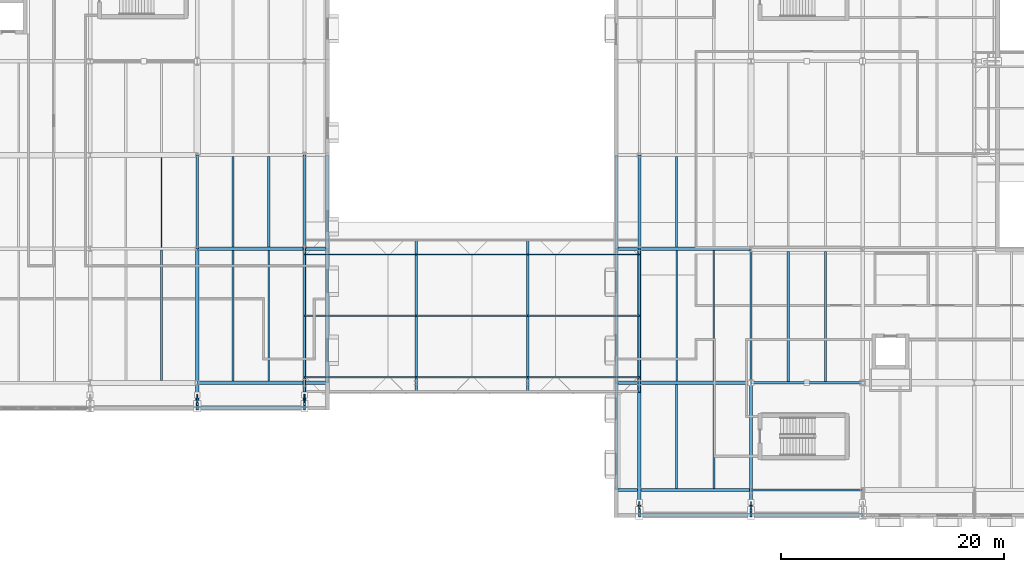
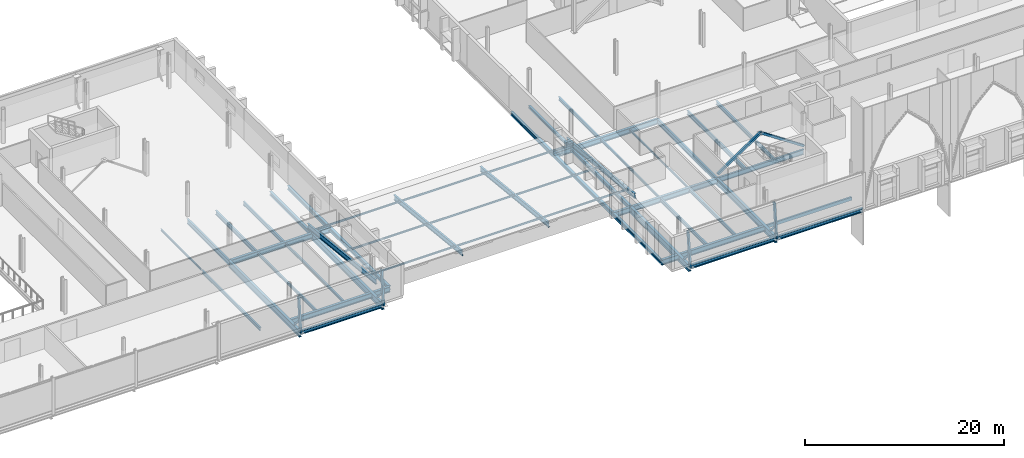
# One storey, part 33 of 90: 41 beams, 19 members.
"""IFC4 building model written with IfcOpenShell, lengths in metres."""

import ifcopenshell
import ifcopenshell.guid

model = None  # the IFC model being written
_history = None  # IfcOwnerHistory: only IFC2X3 demands one
_inside = {}  # id of a spatial element -> (the spatial element, [elements in it])
_under = {}  # id of a project, library or spatial element -> (it, [spatial elements below it])
_declared = {}  # id of a project -> (the project, [libraries it declares])
_typed = {}  # id of a type object -> (the type object, [elements of that type])
_made_of = {}  # id of a material, layer set ... -> (it, [elements and type objects made of it])


def new_model(schema):
    """Start an empty IFC model of exactly this schema.

    Asked for "IFC4X3", IfcOpenShell would pick the latest addendum, in which some entities
    have other attributes; the version numbers below select the first issue.
    IFC2X3 requires an IfcOwnerHistory on every rooted entity: one is made here for all.
    """
    global model, _history
    if schema == "IFC4X3":
        model = ifcopenshell.file(schema_version=(4, 3, 0, 0))
    else:
        model = ifcopenshell.file(schema=schema)
    _inside.clear()
    _under.clear()
    _declared.clear()
    _typed.clear()
    _made_of.clear()
    _history = None
    if model.schema == "IFC2X3":
        org = make("IfcOrganization", Name="unknown")
        user = make(
            "IfcPersonAndOrganization",
            ThePerson=make("IfcPerson", FamilyName="unknown"),
            TheOrganization=org,
        )
        app = make(
            "IfcApplication",
            ApplicationDeveloper=org,
            Version="unknown",
            ApplicationFullName="unknown",
            ApplicationIdentifier="unknown",
        )
        _history = make(
            "IfcOwnerHistory",
            OwningUser=user,
            OwningApplication=app,
            ChangeAction="ADDED",
            CreationDate=0,
        )
    return model


def make(cls, **values):
    """One entity of the class cls with the attributes given. An attribute that is None is left unset."""
    return model.create_entity(
        cls, **{name: value for name, value in values.items() if value is not None}
    )


def rooted(cls, **values):
    """An entity with a GlobalId (a new one), such as an element, a storey or a relation."""
    return make(cls, GlobalId=ifcopenshell.guid.new(), OwnerHistory=_history, **values)


def si_unit(unit_type, name, prefix=None):
    """IfcSIUnit, for example si_unit("LENGTHUNIT", "METRE", prefix="MILLI")."""
    return make("IfcSIUnit", UnitType=unit_type, Prefix=prefix, Name=name)


def assignment(units):
    """IfcUnitAssignment: the units of a project."""
    return None if units is None else make("IfcUnitAssignment", Units=units)


def point(xyz):
    """IfcCartesianPoint."""
    return None if xyz is None else make("IfcCartesianPoint", Coordinates=xyz)


def direction(xyz):
    """IfcDirection."""
    return None if xyz is None else make("IfcDirection", DirectionRatios=xyz)


def frame(location, z_axis=None, x_axis=None):
    """IfcAxis2Placement3D, a coordinate frame: its origin and axes. An axis left out is left unset."""
    return make(
        "IfcAxis2Placement3D",
        Location=point(location),
        Axis=direction(z_axis),
        RefDirection=direction(x_axis),
    )


def frame_2d(location, x_axis=None):
    """IfcAxis2Placement2D, a coordinate frame in the plane: its origin and x axis."""
    return make(
        "IfcAxis2Placement2D", Location=point(location), RefDirection=direction(x_axis)
    )


def origin():
    """The frame at (0, 0, 0) with its axes left unset."""
    return frame((0.0, 0.0, 0.0))


def origin_2d():
    """The frame at (0, 0) in the plane with its x axis left unset."""
    return frame_2d((0.0, 0.0))


def place(relative_to, where):
    """IfcLocalPlacement: puts the frame where relative to a parent placement (None: the world)."""
    return make(
        "IfcLocalPlacement", PlacementRelTo=relative_to, RelativePlacement=where
    )


def context(
    kind, dimensions, precision=None, world=None, true_north=None, identifier=None
):
    """IfcGeometricRepresentationContext, for example the 3D "Model" context."""
    return make(
        "IfcGeometricRepresentationContext",
        ContextIdentifier=identifier,
        ContextType=kind,
        CoordinateSpaceDimension=dimensions,
        Precision=precision,
        WorldCoordinateSystem=world,
        TrueNorth=true_north,
    )


def subcontext(parent, identifier, kind, view, scale=None):
    """IfcGeometricRepresentationSubContext, for example "Body" below "Model"."""
    return make(
        "IfcGeometricRepresentationSubContext",
        ContextIdentifier=identifier,
        ContextType=kind,
        ParentContext=parent,
        TargetScale=scale,
        TargetView=view,
    )


def project(units=None, contexts=None):
    """IfcProject with its units and contexts."""
    return rooted(
        "IfcProject",
        Name="project",
        RepresentationContexts=contexts,
        UnitsInContext=assignment(units),
    )


def spatial(cls, under=None, at=None, **own):
    """A site, building, storey or space (cls), placed at a placement, below another one or the project."""
    s = rooted(cls, ObjectPlacement=at, **own)
    if under is not None:
        _under.setdefault(under.id(), (under, []))[1].append(s)
    return s


def profile(cls, at=None, kind="AREA", **sizes):
    """A parametric profile (cls). Its sizes go by their IFC names, for example OverallWidth=200.0."""
    return make(cls, ProfileType=kind, Position=at, **sizes)


def hollow_rectangle(**sizes):
    """IfcRectangleHollowProfileDef."""
    return profile("IfcRectangleHollowProfileDef", **sizes)


def i_section(**sizes):
    """IfcIShapeProfileDef."""
    return profile("IfcIShapeProfileDef", **sizes)


def extrude(swept, where, along, depth):
    """IfcExtrudedAreaSolid: the profile swept, set in the frame where, extruded along a direction by depth."""
    return make(
        "IfcExtrudedAreaSolid",
        SweptArea=swept,
        Position=where,
        ExtrudedDirection=direction(along),
        Depth=depth,
    )


def shape(context_of_items, identifier, shape_type, items):
    """IfcShapeRepresentation: the items that make up one representation, for example the "Body"."""
    return make(
        "IfcShapeRepresentation",
        ContextOfItems=context_of_items,
        RepresentationIdentifier=identifier,
        RepresentationType=shape_type,
        Items=items,
    )


def material(Name=None, Category=None):
    """IfcMaterial."""
    return make("IfcMaterial", Name=Name, Category=Category)


def material_profile(
    of_material, cross_section, Name=None, Category=None, Priority=None
):
    """IfcMaterialProfile: a cross section and its material."""
    return make(
        "IfcMaterialProfile",
        Name=Name,
        Material=of_material,
        Profile=cross_section,
        Priority=Priority,
        Category=Category,
    )


def profile_set(profiles, Name=None, composite=None):
    """IfcMaterialProfileSet."""
    return make(
        "IfcMaterialProfileSet",
        Name=Name,
        MaterialProfiles=profiles,
        CompositeProfile=composite,
    )


def made_of(thing, what):
    """Note that an element or type object is made of a material, layer set ...; save() writes the relation."""
    if what is not None:
        _made_of.setdefault(what.id(), (what, []))[1].append(thing)
    return thing


def type_object(cls, material=None, **own):
    """A type object (cls), such as IfcWallType, which elements share."""
    return made_of(rooted(cls, **own), material)


def element(
    cls,
    number,
    at=None,
    inside=None,
    cuts=None,
    type_object=None,
    material=None,
    context=None,
    identifier="Body",
    shape_type=None,
    held_by="IfcProductDefinitionShape",
    body=None,
    shapes=None,
    **own,
):
    """One element of the class cls, such as IfcWall. Its Tag is "e" and its number.

    at: its placement. inside: the storey or other place that contains it. cuts: it is an
    opening in that element (IfcRelVoidsElement). A single representation is given by context,
    identifier, shape_type and body (its items); several are given by shapes. held_by: the class
    of the entity that holds the representations. save() writes the other relations.
    """
    e = rooted(cls, Tag="e%d" % number, ObjectPlacement=at, **own)
    if body is not None:
        shapes = [shape(context, identifier, shape_type, body)]
    if shapes is not None:
        e.Representation = make(held_by, Representations=shapes)
    if inside is not None:
        _inside.setdefault(inside.id(), (inside, []))[1].append(e)
    if cuts is not None:
        rooted(
            "IfcRelVoidsElement", RelatingBuildingElement=cuts, RelatedOpeningElement=e
        )
    if type_object is not None:
        _typed.setdefault(type_object.id(), (type_object, []))[1].append(e)
    return made_of(e, material)


def aggregate(whole, parts):
    """IfcRelAggregates: a whole, such as a stair, and the parts it consists of."""
    return rooted("IfcRelAggregates", RelatingObject=whole, RelatedObjects=parts)


def save(model, path):
    """Write the relations noted so far, then the file.

    IfcRelAggregates (storeys below a building ...), IfcRelContainedInSpatialStructure (elements
    in a storey), IfcRelDefinesByType, IfcRelAssociatesMaterial and IfcRelDeclares: one each for
    every whole, place, type object, material and project.
    """
    for whole, parts in _under.values():
        aggregate(whole, parts)
    for where, things in _inside.values():
        rooted(
            "IfcRelContainedInSpatialStructure",
            RelatedElements=things,
            RelatingStructure=where,
        )
    for kind, things in _typed.values():
        rooted("IfcRelDefinesByType", RelatedObjects=things, RelatingType=kind)
    for what, things in _made_of.values():
        rooted("IfcRelAssociatesMaterial", RelatedObjects=things, RelatingMaterial=what)
    for by, libraries in _declared.values():
        rooted("IfcRelDeclares", RelatingContext=by, RelatedDefinitions=libraries)
    model.write(path)


model = new_model("IFC4")

# Units and contexts
model_context = context("Model", 3, precision=1e-05, world=origin(), true_north=direction((0.0, 1.0)))
body_context = subcontext(model_context, "Body", "Model", "MODEL_VIEW")
ifc_project = project(units=[si_unit("LENGTHUNIT", "METRE"), si_unit("AREAUNIT", "SQUARE_METRE"), si_unit("VOLUMEUNIT", "CUBIC_METRE"), si_unit("PLANEANGLEUNIT", "RADIAN"), si_unit("MASSUNIT", "GRAM", prefix="KILO")], contexts=[model_context])

# Site, building, storey
site_placement = place(None, origin())
site = spatial("IfcSite", under=ifc_project, at=site_placement, CompositionType="ELEMENT")
building_placement = place(site_placement, origin())
building = spatial("IfcBuilding", under=site, at=building_placement, Name="Zereglee Splitstone Museum", CompositionType="ELEMENT")
storey_placement = place(building_placement, frame((0.0, 0.0, 4.800048828125)))
storey = spatial("IfcBuildingStorey", under=building, at=storey_placement, Name="L01", CompositionType="ELEMENT", Elevation=4.800048828125)

# Members
ifc_material_1 = material(Name="Steel S355J2H", Category="steel")
ifc_material_profile_1 = material_profile(ifc_material_1, hollow_rectangle(XDim=0.25, YDim=0.25, WallThickness=0.012451171875, at=origin_2d()), Name="SHS 250x250x12.5")
ifc_profile_set_1 = profile_set([ifc_material_profile_1], Name="Steel S355J2H")
member_type_1 = type_object("IfcMemberType", Name="TB-06", PredefinedType="BRACE", material=ifc_profile_set_1)
for number, where, z_axis, x_axis, name in (
    (1, (185.199951171875, 9.60009765625, 0.119873046875), (0.82999331447, 0.0, 0.557773339211), (0.0, 1.0, 0.0), "Lateral Braced Frame Chevron L01-016A"),
    (2, (195.199951171875, 9.60009765625, 0.119873046875), (-0.82999331447, 0.0, 0.557773339211), (0.0, -1.0, 0.0), "Lateral Braced Frame Chevron L01-016B"),
):
    element("IfcMember", number, at=place(storey_placement, frame(where, z_axis=z_axis, x_axis=x_axis)), inside=storey, type_object=member_type_1, Name=name, PredefinedType="BRACE", context=body_context, shape_type="SweptSolid", body=[
        extrude(hollow_rectangle(XDim=0.25, YDim=0.25, WallThickness=0.012451171875, at=origin_2d()), origin(), (0.0, 0.0, 1.0), 6.024169921875),
    ])

# Beams
ifc_material_2 = material(Name="Steel S355J2", Category="steel")
ifc_material_profile_2 = material_profile(ifc_material_2, i_section(OverallWidth=0.300048828125, OverallDepth=0.64990234375, WebThickness=0.01611328125, FlangeThickness=0.031005859375, FilletRadius=0.027099609375, at=origin_2d()), Name="HE 650 B")
ifc_profile_set_2 = profile_set([ifc_material_profile_2], Name="Steel S355J2")
beam_type_1 = type_object("IfcBeamType", Name="BG-09", PredefinedType="BEAM", material=ifc_profile_set_2)
beam_1_placement = place(storey_placement, frame((173.14990234375, 0.0, -0.625), z_axis=(1.0, 0.0, 0.0), x_axis=(0.0, 1.0, 0.0)))
element("IfcBeam", 3, at=beam_1_placement, inside=storey, type_object=beam_type_1, Name="Primary Girder L01 A (173.2-185.2)", PredefinedType="BEAM", context=body_context, shape_type="SweptSolid", body=[
    extrude(i_section(OverallWidth=0.300048828125, OverallDepth=0.64990234375, WebThickness=0.01611328125, FlangeThickness=0.031005859375, FilletRadius=0.027099609375, at=origin_2d()), origin(), (0.0, 0.0, 1.0), 12.050048828125),
])
beam_2_placement = place(storey_placement, frame((135.60009765625, 9.60009765625, -0.625), z_axis=(1.0, 0.0, 0.0), x_axis=(0.0, 1.0, 0.0)))
element("IfcBeam", 4, at=beam_2_placement, inside=storey, type_object=beam_type_1, Name="Primary Girder L01 B (135.6-147.2)", PredefinedType="BEAM", context=body_context, shape_type="SweptSolid", body=[
    extrude(i_section(OverallWidth=0.300048828125, OverallDepth=0.64990234375, WebThickness=0.01611328125, FlangeThickness=0.031005859375, FilletRadius=0.027099609375, at=origin_2d()), origin(), (0.0, 0.0, 1.0), 11.64990234375),
])
beam_3_placement = place(storey_placement, frame((173.14990234375, 9.60009765625, -0.625), z_axis=(1.0, 0.0, 0.0), x_axis=(0.0, 1.0, 0.0)))
element("IfcBeam", 5, at=beam_3_placement, inside=storey, type_object=beam_type_1, Name="Primary Girder L01 B (173.2-185.2)", PredefinedType="BEAM", context=body_context, shape_type="SweptSolid", body=[
    extrude(i_section(OverallWidth=0.300048828125, OverallDepth=0.64990234375, WebThickness=0.01611328125, FlangeThickness=0.031005859375, FilletRadius=0.027099609375, at=origin_2d()), origin(), (0.0, 0.0, 1.0), 12.050048828125),
])
beam_4_placement = place(storey_placement, frame((135.60009765625, 21.60009765625, -0.625), z_axis=(1.0, 0.0, 0.0), x_axis=(0.0, 1.0, 0.0)))
element("IfcBeam", 6, at=beam_4_placement, inside=storey, type_object=beam_type_1, Name="Primary Girder L01 C (135.6-147.2)", PredefinedType="BEAM", context=body_context, shape_type="SweptSolid", body=[
    extrude(i_section(OverallWidth=0.300048828125, OverallDepth=0.64990234375, WebThickness=0.01611328125, FlangeThickness=0.031005859375, FilletRadius=0.027099609375, at=origin_2d()), origin(), (0.0, 0.0, 1.0), 11.64990234375),
])
beam_5_placement = place(storey_placement, frame((173.14990234375, 21.60009765625, -0.625), z_axis=(1.0, 0.0, 0.0), x_axis=(0.0, 1.0, 0.0)))
element("IfcBeam", 7, at=beam_5_placement, inside=storey, type_object=beam_type_1, Name="Primary Girder L01 C (173.2-185.2)", PredefinedType="BEAM", context=body_context, shape_type="SweptSolid", body=[
    extrude(i_section(OverallWidth=0.300048828125, OverallDepth=0.64990234375, WebThickness=0.01611328125, FlangeThickness=0.031005859375, FilletRadius=0.027099609375, at=origin_2d()), origin(), (0.0, 0.0, 1.0), 12.050048828125),
])
ifc_material_profile_3 = material_profile(ifc_material_2, i_section(OverallWidth=0.300048828125, OverallDepth=0.800048828125, WebThickness=0.017578125, FlangeThickness=0.032958984375, FilletRadius=0.030029296875, at=origin_2d()), Name="HE 800 B")
ifc_profile_set_3 = profile_set([ifc_material_profile_3], Name="Steel S355J2")
beam_type_2 = type_object("IfcBeamType", Name="BG-07", PredefinedType="BEAM", material=ifc_profile_set_3)
for number, where, z_axis, x_axis, name in (
    (8, (135.60009765625, 7.35009765625, -0.699951171875), (0.0, 1.0, 0.0), (-1.0, 0.0, 0.0), "Primary Girder L01 16 (7.3-21.6)"),
    (9, (145.199951171875, 7.35009765625, -0.699951171875), (0.0, 1.0, 0.0), (-1.0, 0.0, 0.0), "Primary Girder L01 17 (7.3-21.6)"),
):
    element("IfcBeam", number, at=place(storey_placement, frame(where, z_axis=z_axis, x_axis=x_axis)), inside=storey, type_object=beam_type_2, Name=name, PredefinedType="BEAM", context=body_context, shape_type="SweptSolid", body=[
        extrude(i_section(OverallWidth=0.300048828125, OverallDepth=0.800048828125, WebThickness=0.017578125, FlangeThickness=0.032958984375, FilletRadius=0.030029296875, at=origin_2d()), origin(), (0.0, 0.0, 1.0), 14.25),
    ])
for number, where, z_axis, x_axis, name in (
    (10, (175.199951171875, -2.25, -0.699951171875), (0.0, 1.0, 0.0), (-1.0, 0.0, 0.0), "Primary Girder L01 20 (-2.2-9.6)"),
    (11, (185.199951171875, -2.25, -0.699951171875), (0.0, 1.0, 0.0), (-1.0, 0.0, 0.0), "Primary Girder L01 21 (-2.2-9.6)"),
):
    element("IfcBeam", number, at=place(storey_placement, frame(where, z_axis=z_axis, x_axis=x_axis)), inside=storey, type_object=beam_type_2, Name=name, PredefinedType="BEAM", context=body_context, shape_type="SweptSolid", body=[
        extrude(i_section(OverallWidth=0.300048828125, OverallDepth=0.800048828125, WebThickness=0.017578125, FlangeThickness=0.032958984375, FilletRadius=0.030029296875, at=origin_2d()), origin(), (0.0, 0.0, 1.0), 11.85009765625),
    ])
ifc_material_profile_4 = material_profile(ifc_material_2, i_section(OverallWidth=0.219970703125, OverallDepth=0.60009765625, WebThickness=0.011962890625, FlangeThickness=0.01904296875, FilletRadius=0.02392578125, at=origin_2d()), Name="IPE 600")
ifc_profile_set_4 = profile_set([ifc_material_profile_4], Name="Steel S355J2")
beam_type_3 = type_object("IfcBeamType", Name="BG-15", PredefinedType="BEAM", material=ifc_profile_set_4)
beam_6_placement = place(storey_placement, frame((185.199951171875, 9.60009765625, -0.60009765625), z_axis=(1.0, 0.0, 0.0), x_axis=(0.0, 1.0, 0.0)))
element("IfcBeam", 12, at=beam_6_placement, inside=storey, type_object=beam_type_3, Name="Primary Girder L01 B (185.2-195.2)", PredefinedType="BEAM", context=body_context, shape_type="SweptSolid", body=[
    extrude(i_section(OverallWidth=0.219970703125, OverallDepth=0.60009765625, WebThickness=0.011962890625, FlangeThickness=0.01904296875, FilletRadius=0.02392578125, at=origin_2d()), origin(), (0.0, 0.0, 1.0), 10.0),
])
beam_7_placement = place(storey_placement, frame((135.60009765625, 21.60009765625, -0.60009765625), z_axis=(0.0, 1.0, 0.0), x_axis=(-1.0, 0.0, 0.0)))
element("IfcBeam", 13, at=beam_7_placement, inside=storey, type_object=beam_type_3, Name="Primary Girder L01 16 (21.6-30.0)", PredefinedType="BEAM", context=body_context, shape_type="SweptSolid", body=[
    extrude(i_section(OverallWidth=0.219970703125, OverallDepth=0.60009765625, WebThickness=0.011962890625, FlangeThickness=0.01904296875, FilletRadius=0.02392578125, at=origin_2d()), origin(), (0.0, 0.0, 1.0), 8.39990234375),
])
beam_8_placement = place(storey_placement, frame((185.199951171875, 9.60009765625, -0.60009765625), z_axis=(0.0, 1.0, 0.0), x_axis=(-1.0, 0.0, 0.0)))
element("IfcBeam", 14, at=beam_8_placement, inside=storey, type_object=beam_type_3, Name="Primary Girder L01 21 (9.6-21.6)", PredefinedType="BEAM", context=body_context, shape_type="SweptSolid", body=[
    extrude(i_section(OverallWidth=0.219970703125, OverallDepth=0.60009765625, WebThickness=0.011962890625, FlangeThickness=0.01904296875, FilletRadius=0.02392578125, at=origin_2d()), origin(), (0.0, 0.0, 1.0), 12.0),
])
ifc_material_profile_5 = material_profile(ifc_material_2, i_section(OverallWidth=0.1201171875, OverallDepth=0.239990234375, WebThickness=0.006103515625, FlangeThickness=0.009765625, FilletRadius=0.014892578125, at=origin_2d()), Name="IPE 240")
ifc_profile_set_5 = profile_set([ifc_material_profile_5], Name="Steel S355J2")
beam_type_4 = type_object("IfcBeamType", Name="BJ-07", PredefinedType="JOIST", material=ifc_profile_set_5)
beam_9_placement = place(storey_placement, frame((181.86669921875, 9.75, -0.420166015625), z_axis=(0.0, 1.0, 0.0), x_axis=(-1.0, 0.0, 0.0)))
element("IfcBeam", 15, at=beam_9_placement, inside=storey, type_object=beam_type_4, Name="Secondary Floor Joist L01-0720", PredefinedType="JOIST", context=body_context, shape_type="SweptSolid", body=[
    extrude(i_section(OverallWidth=0.1201171875, OverallDepth=0.239990234375, WebThickness=0.006103515625, FlangeThickness=0.009765625, FilletRadius=0.014892578125, at=origin_2d()), origin(), (0.0, 0.0, 1.0), 11.699951171875),
])
beam_10_placement = place(storey_placement, frame((132.39990234375, 21.705078125, -0.420166015625), z_axis=(0.0, 1.0, 0.0), x_axis=(-1.0, 0.0, 0.0)))
element("IfcBeam", 16, at=beam_10_placement, inside=storey, type_object=beam_type_4, Name="Secondary Floor Joist L01-0741", PredefinedType="JOIST", context=body_context, shape_type="SweptSolid", body=[
    extrude(i_section(OverallWidth=0.1201171875, OverallDepth=0.239990234375, WebThickness=0.006103515625, FlangeThickness=0.009765625, FilletRadius=0.014892578125, at=origin_2d()), origin(), (0.0, 0.0, 1.0), 8.06982421875),
])
ifc_material_profile_6 = material_profile(ifc_material_2, i_section(OverallWidth=0.14990234375, OverallDepth=0.300048828125, WebThickness=0.007080078125, FlangeThickness=0.0107421875, FilletRadius=0.014892578125, at=origin_2d()), Name="IPE 300")
ifc_profile_set_6 = profile_set([ifc_material_profile_6], Name="Steel S355J2")
beam_type_5 = type_object("IfcBeamType", Name="BJ-06", PredefinedType="JOIST", material=ifc_profile_set_6)
beam_11_placement = place(storey_placement, frame((178.533203125, 9.75, -0.449951171875), z_axis=(0.0, 1.0, 0.0), x_axis=(-1.0, 0.0, 0.0)))
element("IfcBeam", 17, at=beam_11_placement, inside=storey, type_object=beam_type_5, Name="Secondary Floor Joist L01-0719", PredefinedType="JOIST", context=body_context, shape_type="SweptSolid", body=[
    extrude(i_section(OverallWidth=0.14990234375, OverallDepth=0.300048828125, WebThickness=0.007080078125, FlangeThickness=0.0107421875, FilletRadius=0.014892578125, at=origin_2d()), origin(), (0.0, 0.0, 1.0), 11.699951171875),
])
ifc_material_profile_7 = material_profile(ifc_material_2, i_section(OverallWidth=0.159912109375, OverallDepth=0.330078125, WebThickness=0.007568359375, FlangeThickness=0.011474609375, FilletRadius=0.01806640625, at=origin_2d()), Name="IPE 330")
ifc_profile_set_7 = profile_set([ifc_material_profile_7], Name="Steel S355J2")
beam_type_6 = type_object("IfcBeamType", Name="BJ-05", PredefinedType="JOIST", material=ifc_profile_set_7)
beam_12_placement = place(storey_placement, frame((142.0, 9.75, -0.465087890625), z_axis=(0.0, 1.0, 0.0), x_axis=(-1.0, 0.0, 0.0)))
element("IfcBeam", 18, at=beam_12_placement, inside=storey, type_object=beam_type_6, Name="Secondary Floor Joist L01-0718", PredefinedType="JOIST", context=body_context, shape_type="SweptSolid", body=[
    extrude(i_section(OverallWidth=0.159912109375, OverallDepth=0.330078125, WebThickness=0.007568359375, FlangeThickness=0.011474609375, FilletRadius=0.01806640625, at=origin_2d()), origin(), (0.0, 0.0, 1.0), 11.699951171875),
])
ifc_material_profile_8 = material_profile(ifc_material_2, i_section(OverallWidth=0.169921875, OverallDepth=0.360107421875, WebThickness=0.008056640625, FlangeThickness=0.0126953125, FilletRadius=0.01806640625, at=origin_2d()), Name="IPE 360")
ifc_profile_set_8 = profile_set([ifc_material_profile_8], Name="Steel S355J2")
beam_type_7 = type_object("IfcBeamType", Name="BJ-04", PredefinedType="JOIST", material=ifc_profile_set_8)
beam_13_placement = place(storey_placement, frame((138.800048828125, 9.75, -0.47998046875), z_axis=(0.0, 1.0, 0.0), x_axis=(-1.0, 0.0, 0.0)))
element("IfcBeam", 19, at=beam_13_placement, inside=storey, type_object=beam_type_7, Name="Secondary Floor Joist L01-0717", PredefinedType="JOIST", context=body_context, shape_type="SweptSolid", body=[
    extrude(i_section(OverallWidth=0.169921875, OverallDepth=0.360107421875, WebThickness=0.008056640625, FlangeThickness=0.0126953125, FilletRadius=0.01806640625, at=origin_2d()), origin(), (0.0, 0.0, 1.0), 11.699951171875),
])
ifc_material_profile_9 = material_profile(ifc_material_2, i_section(OverallWidth=0.179931640625, OverallDepth=0.39990234375, WebThickness=0.008544921875, FlangeThickness=0.013427734375, FilletRadius=0.02099609375, at=origin_2d()), Name="IPE 400")
ifc_profile_set_9 = profile_set([ifc_material_profile_9], Name="Steel S355J2")
beam_type_8 = type_object("IfcBeamType", Name="BJ-03", PredefinedType="JOIST", material=ifc_profile_set_9)
beam_14_placement = place(storey_placement, frame((181.86669921875, 0.14990234375, -0.5), z_axis=(0.0, 1.0, 0.0), x_axis=(-1.0, 0.0, 0.0)))
element("IfcBeam", 20, at=beam_14_placement, inside=storey, type_object=beam_type_8, Name="Secondary Floor Joist L01-0695", PredefinedType="JOIST", context=body_context, shape_type="SweptSolid", body=[
    extrude(i_section(OverallWidth=0.179931640625, OverallDepth=0.39990234375, WebThickness=0.008544921875, FlangeThickness=0.013427734375, FilletRadius=0.02099609375, at=origin_2d()), origin(), (0.0, 0.0, 1.0), 9.300048828125),
])
beam_15_placement = place(storey_placement, frame((132.39990234375, 9.824951171875, -0.5), z_axis=(0.0, 1.0, 0.0), x_axis=(-1.0, 0.0, 0.0)))
element("IfcBeam", 21, at=beam_15_placement, inside=storey, type_object=beam_type_8, Name="Secondary Floor Joist L01-0716", PredefinedType="JOIST", context=body_context, shape_type="SweptSolid", body=[
    extrude(i_section(OverallWidth=0.179931640625, OverallDepth=0.39990234375, WebThickness=0.008544921875, FlangeThickness=0.013427734375, FilletRadius=0.02099609375, at=origin_2d()), origin(), (0.0, 0.0, 1.0), 11.670166015625),
])
beam_16_placement = place(storey_placement, frame((178.533203125, 21.75, -0.5), z_axis=(0.0, 1.0, 0.0), x_axis=(-1.0, 0.0, 0.0)))
element("IfcBeam", 22, at=beam_16_placement, inside=storey, type_object=beam_type_8, Name="Secondary Floor Joist L01-0744", PredefinedType="JOIST", context=body_context, shape_type="SweptSolid", body=[
    extrude(i_section(OverallWidth=0.179931640625, OverallDepth=0.39990234375, WebThickness=0.008544921875, FlangeThickness=0.013427734375, FilletRadius=0.02099609375, at=origin_2d()), origin(), (0.0, 0.0, 1.0), 8.10009765625),
])
ifc_material_profile_10 = material_profile(ifc_material_2, i_section(OverallWidth=0.18994140625, OverallDepth=0.449951171875, WebThickness=0.009521484375, FlangeThickness=0.0146484375, FilletRadius=0.02099609375, at=origin_2d()), Name="IPE 450")
ifc_profile_set_10 = profile_set([ifc_material_profile_10], Name="Steel S355J2")
beam_type_9 = type_object("IfcBeamType", Name="BJ-02", PredefinedType="JOIST", material=ifc_profile_set_10)
beam_17_placement = place(storey_placement, frame((178.533203125, 0.14990234375, -0.525146484375), z_axis=(0.0, 1.0, 0.0), x_axis=(-1.0, 0.0, 0.0)))
element("IfcBeam", 23, at=beam_17_placement, inside=storey, type_object=beam_type_9, Name="Secondary Floor Joist L01-0694", PredefinedType="JOIST", context=body_context, shape_type="SweptSolid", body=[
    extrude(i_section(OverallWidth=0.18994140625, OverallDepth=0.449951171875, WebThickness=0.009521484375, FlangeThickness=0.0146484375, FilletRadius=0.02099609375, at=origin_2d()), origin(), (0.0, 0.0, 1.0), 9.300048828125),
])
beam_18_placement = place(storey_placement, frame((191.86669921875, 9.7099609375, -0.525146484375), z_axis=(0.0, 1.0, 0.0), x_axis=(-1.0, 0.0, 0.0)))
element("IfcBeam", 24, at=beam_18_placement, inside=storey, type_object=beam_type_9, Name="Secondary Floor Joist L01-0722", PredefinedType="JOIST", context=body_context, shape_type="SweptSolid", body=[
    extrude(i_section(OverallWidth=0.18994140625, OverallDepth=0.449951171875, WebThickness=0.009521484375, FlangeThickness=0.0146484375, FilletRadius=0.02099609375, at=origin_2d()), origin(), (0.0, 0.0, 1.0), 11.64013671875),
])
beam_19_placement = place(storey_placement, frame((142.0, 21.75, -0.525146484375), z_axis=(0.0, 1.0, 0.0), x_axis=(-1.0, 0.0, 0.0)))
element("IfcBeam", 25, at=beam_19_placement, inside=storey, type_object=beam_type_9, Name="Secondary Floor Joist L01-0743", PredefinedType="JOIST", context=body_context, shape_type="SweptSolid", body=[
    extrude(i_section(OverallWidth=0.18994140625, OverallDepth=0.449951171875, WebThickness=0.009521484375, FlangeThickness=0.0146484375, FilletRadius=0.02099609375, at=origin_2d()), origin(), (0.0, 0.0, 1.0), 8.10009765625),
])
ifc_material_profile_11 = material_profile(ifc_material_2, i_section(OverallWidth=0.199951171875, OverallDepth=0.5, WebThickness=0.01025390625, FlangeThickness=0.01611328125, FilletRadius=0.02099609375, at=origin_2d()), Name="IPE 500")
ifc_profile_set_11 = profile_set([ifc_material_profile_11], Name="Steel S355J2")
beam_type_10 = type_object("IfcBeamType", Name="BJ-01", PredefinedType="JOIST", material=ifc_profile_set_11)
beam_20_placement = place(storey_placement, frame((188.533203125, 9.7099609375, -0.550048828125), z_axis=(0.0, 1.0, 0.0), x_axis=(-1.0, 0.0, 0.0)))
element("IfcBeam", 26, at=beam_20_placement, inside=storey, type_object=beam_type_10, Name="Secondary Floor Joist L01-0721", PredefinedType="JOIST", context=body_context, shape_type="SweptSolid", body=[
    extrude(i_section(OverallWidth=0.199951171875, OverallDepth=0.5, WebThickness=0.01025390625, FlangeThickness=0.01611328125, FilletRadius=0.02099609375, at=origin_2d()), origin(), (0.0, 0.0, 1.0), 11.64013671875),
])
beam_21_placement = place(storey_placement, frame((138.800048828125, 21.75, -0.550048828125), z_axis=(0.0, 1.0, 0.0), x_axis=(-1.0, 0.0, 0.0)))
element("IfcBeam", 27, at=beam_21_placement, inside=storey, type_object=beam_type_10, Name="Secondary Floor Joist L01-0742", PredefinedType="JOIST", context=body_context, shape_type="SweptSolid", body=[
    extrude(i_section(OverallWidth=0.199951171875, OverallDepth=0.5, WebThickness=0.01025390625, FlangeThickness=0.01611328125, FilletRadius=0.02099609375, at=origin_2d()), origin(), (0.0, 0.0, 1.0), 8.10009765625),
])

# Members
ifc_material_profile_12 = material_profile(ifc_material_2, i_section(OverallWidth=0.110107421875, OverallDepth=0.219970703125, WebThickness=0.005859375, FlangeThickness=0.00927734375, FilletRadius=0.011962890625, at=origin_2d()), Name="IPE 220")
ifc_profile_set_12 = profile_set([ifc_material_profile_12], Name="Steel S355J2")
member_type_2 = type_object("IfcMemberType", Name="PR-04", PredefinedType="PURLIN", material=ifc_profile_set_12)
for number, where, z_axis, x_axis, name in (
    (28, (145.199951171875, 10.10009765625, 1.508056640625), (1.0, 0.0, 0.0), (0.0, 1.0, 0.0), "Roof Purlin RF-L2 (145.2-155.2)"),
    (29, (145.199951171875, 15.60009765625, 0.934326171875), (1.0, 0.0, 0.0), (0.0, 1.0, 0.0), "Roof Purlin RF-L2 (145.2-155.2)"),
    (30, (145.199951171875, 21.10009765625, 0.36083984375), (1.0, 0.0, 0.0), (0.0, 1.0, 0.0), "Roof Purlin RF-L2 (145.2-155.2)"),
    (31, (155.199951171875, 10.10009765625, 1.508056640625), (1.0, 0.0, 0.0), (0.0, 1.0, 0.0), "Roof Purlin RF-L2 (155.2-165.2)"),
    (32, (155.199951171875, 15.60009765625, 0.934326171875), (1.0, 0.0, 0.0), (0.0, 1.0, 0.0), "Roof Purlin RF-L2 (155.2-165.2)"),
    (33, (155.199951171875, 21.10009765625, 0.36083984375), (1.0, 0.0, 0.0), (0.0, 1.0, 0.0), "Roof Purlin RF-L2 (155.2-165.2)"),
    (34, (165.199951171875, 10.10009765625, 1.508056640625), (1.0, 0.0, 0.0), (0.0, 1.0, 0.0), "Roof Purlin RF-L2 (165.2-175.2)"),
    (35, (165.199951171875, 15.60009765625, 0.934326171875), (1.0, 0.0, 0.0), (0.0, 1.0, 0.0), "Roof Purlin RF-L2 (165.2-175.2)"),
    (36, (165.199951171875, 21.10009765625, 0.36083984375), (1.0, 0.0, 0.0), (0.0, 1.0, 0.0), "Roof Purlin RF-L2 (165.2-175.2)"),
):
    element("IfcMember", number, at=place(storey_placement, frame(where, z_axis=z_axis, x_axis=x_axis)), inside=storey, type_object=member_type_2, Name=name, PredefinedType="PURLIN", context=body_context, shape_type="SweptSolid", body=[
        extrude(i_section(OverallWidth=0.110107421875, OverallDepth=0.219970703125, WebThickness=0.005859375, FlangeThickness=0.00927734375, FilletRadius=0.011962890625, at=origin_2d()), origin(), (0.0, 0.0, 1.0), 10.0),
    ])

# Beams
ifc_material_profile_13 = material_profile(ifc_material_2, i_section(OverallWidth=0.219970703125, OverallDepth=0.60009765625, WebThickness=0.011962890625, FlangeThickness=0.01904296875, FilletRadius=0.02392578125, at=origin_2d()), Name="IPE 600")
ifc_profile_set_13 = profile_set([ifc_material_profile_13], Name="Steel S355J2")
beam_type_11 = type_object("IfcBeamType", Name="RR-01", PredefinedType="BEAM", material=ifc_profile_set_13)
for number, where, z_axis, x_axis, name in (
    (37, (145.199951171875, 8.75, 1.461669921875), (0.0, 0.994606187421, -0.103723343291), (-1.0, 0.0, 0.0), "Sloped Roof Girder RF-L2 X=145.2 (8.8-22.4)"),
    (38, (155.199951171875, 8.75, 1.461669921875), (0.0, 0.994606187421, -0.103723343291), (-1.0, 0.0, 0.0), "Sloped Roof Girder RF-L2 X=155.2 (8.8-22.4)"),
    (39, (165.199951171875, 8.75, 1.461669921875), (0.0, 0.994606187421, -0.103723343291), (-1.0, 0.0, 0.0), "Sloped Roof Girder RF-L2 X=165.2 (8.8-22.4)"),
    (40, (175.199951171875, 8.75, 1.461669921875), (0.0, 0.994606187421, -0.103723343291), (-1.0, 0.0, 0.0), "Sloped Roof Girder RF-L2 X=175.2 (8.8-22.4)"),
):
    element("IfcBeam", number, at=place(storey_placement, frame(where, z_axis=z_axis, x_axis=x_axis)), inside=storey, type_object=beam_type_11, Name=name, PredefinedType="BEAM", context=body_context, shape_type="SweptSolid", body=[
        extrude(i_section(OverallWidth=0.219970703125, OverallDepth=0.60009765625, WebThickness=0.011962890625, FlangeThickness=0.01904296875, FilletRadius=0.02392578125, at=origin_2d()), origin(), (0.0, 0.0, 1.0), 13.774169921875),
    ])
ifc_material_profile_14 = material_profile(ifc_material_2, i_section(OverallWidth=0.280029296875, OverallDepth=0.280029296875, WebThickness=0.010498046875, FlangeThickness=0.01806640625, FilletRadius=0.02392578125, at=origin_2d()), Name="HE 280 B")
ifc_profile_set_14 = profile_set([ifc_material_profile_14], Name="Steel S355J2")
beam_type_12 = type_object("IfcBeamType", Name="SP-03", PredefinedType="SPANDREL", material=ifc_profile_set_14)
beam_22_placement = place(storey_placement, frame((175.199951171875, 21.60009765625, -0.43994140625), z_axis=(0.0, 1.0, 0.0), x_axis=(-1.0, 0.0, 0.0)))
element("IfcBeam", 41, at=beam_22_placement, inside=storey, type_object=beam_type_12, Name="Primary Girder L01 20 (21.6-30.0)", PredefinedType="SPANDREL", context=body_context, shape_type="SweptSolid", body=[
    extrude(i_section(OverallWidth=0.280029296875, OverallDepth=0.280029296875, WebThickness=0.010498046875, FlangeThickness=0.01806640625, FilletRadius=0.02392578125, at=origin_2d()), origin(), (0.0, 0.0, 1.0), 8.39990234375),
])
ifc_material_profile_15 = material_profile(ifc_material_2, i_section(OverallWidth=0.300048828125, OverallDepth=0.449951171875, WebThickness=0.013916015625, FlangeThickness=0.02587890625, FilletRadius=0.027099609375, at=origin_2d()), Name="HE 450 B")
ifc_profile_set_15 = profile_set([ifc_material_profile_15], Name="Steel S355J2")
beam_type_13 = type_object("IfcBeamType", Name="SP-02", PredefinedType="SPANDREL", material=ifc_profile_set_15)
beam_23_placement = place(storey_placement, frame((145.199951171875, 21.60009765625, -0.525146484375), z_axis=(0.0, 1.0, 0.0), x_axis=(-1.0, 0.0, 0.0)))
element("IfcBeam", 42, at=beam_23_placement, inside=storey, type_object=beam_type_13, Name="Primary Girder L01 17 (21.6-30.0)", PredefinedType="SPANDREL", context=body_context, shape_type="SweptSolid", body=[
    extrude(i_section(OverallWidth=0.300048828125, OverallDepth=0.449951171875, WebThickness=0.013916015625, FlangeThickness=0.02587890625, FilletRadius=0.027099609375, at=origin_2d()), origin(), (0.0, 0.0, 1.0), 8.39990234375),
])
beam_24_placement = place(storey_placement, frame((175.199951171875, 9.60009765625, -0.525146484375), z_axis=(0.0, 1.0, 0.0), x_axis=(-1.0, 0.0, 0.0)))
element("IfcBeam", 43, at=beam_24_placement, inside=storey, type_object=beam_type_13, Name="Primary Girder L01 20 (9.6-21.6)", PredefinedType="SPANDREL", context=body_context, shape_type="SweptSolid", body=[
    extrude(i_section(OverallWidth=0.300048828125, OverallDepth=0.449951171875, WebThickness=0.013916015625, FlangeThickness=0.02587890625, FilletRadius=0.027099609375, at=origin_2d()), origin(), (0.0, 0.0, 1.0), 12.0),
])
beam_25_placement = place(storey_placement, frame((135.60009765625, 7.35009765625, -0.525146484375), z_axis=(1.0, 0.0, 0.0), x_axis=(0.0, 1.0, 0.0)))
element("IfcBeam", 44, at=beam_25_placement, inside=storey, type_object=beam_type_13, Name="Hovering Soffit Spandrel L01 (135.6-145.2)", PredefinedType="SPANDREL", context=body_context, shape_type="SweptSolid", body=[
    extrude(i_section(OverallWidth=0.300048828125, OverallDepth=0.449951171875, WebThickness=0.013916015625, FlangeThickness=0.02587890625, FilletRadius=0.027099609375, at=origin_2d()), origin(), (0.0, 0.0, 1.0), 9.599853515625),
])
beam_26_placement = place(storey_placement, frame((147.25, 9.60009765625, -0.525146484375), z_axis=(0.0, 1.0, 0.0), x_axis=(-1.0, 0.0, 0.0)))
element("IfcBeam", 45, at=beam_26_placement, inside=storey, type_object=beam_type_13, Name="Hovering Soffit Spandrel L01 Y=(9.6-21.6)", PredefinedType="SPANDREL", context=body_context, shape_type="SweptSolid", body=[
    extrude(i_section(OverallWidth=0.300048828125, OverallDepth=0.449951171875, WebThickness=0.013916015625, FlangeThickness=0.02587890625, FilletRadius=0.027099609375, at=origin_2d()), origin(), (0.0, 0.0, 1.0), 12.0),
])
beam_27_placement = place(storey_placement, frame((147.25, 21.60009765625, -0.525146484375), z_axis=(0.0, 1.0, 0.0), x_axis=(-1.0, 0.0, 0.0)))
element("IfcBeam", 46, at=beam_27_placement, inside=storey, type_object=beam_type_13, Name="Hovering Soffit Spandrel L01 Y=(21.6-30.0)", PredefinedType="SPANDREL", context=body_context, shape_type="SweptSolid", body=[
    extrude(i_section(OverallWidth=0.300048828125, OverallDepth=0.449951171875, WebThickness=0.013916015625, FlangeThickness=0.02587890625, FilletRadius=0.027099609375, at=origin_2d()), origin(), (0.0, 0.0, 1.0), 8.39990234375),
])
for number, where, z_axis, x_axis, name in (
    (47, (175.199951171875, -2.25, -0.525146484375), (1.0, 0.0, 0.0), (0.0, 1.0, 0.0), "Hovering Soffit Spandrel L01 (175.2-185.2)"),
    (48, (185.199951171875, -2.25, -0.525146484375), (1.0, 0.0, 0.0), (0.0, 1.0, 0.0), "Hovering Soffit Spandrel L01 (185.2-195.2)"),
):
    element("IfcBeam", number, at=place(storey_placement, frame(where, z_axis=z_axis, x_axis=x_axis)), inside=storey, type_object=beam_type_13, Name=name, PredefinedType="SPANDREL", context=body_context, shape_type="SweptSolid", body=[
        extrude(i_section(OverallWidth=0.300048828125, OverallDepth=0.449951171875, WebThickness=0.013916015625, FlangeThickness=0.02587890625, FilletRadius=0.027099609375, at=origin_2d()), origin(), (0.0, 0.0, 1.0), 10.0),
    ])
beam_28_placement = place(storey_placement, frame((173.14990234375, 0.0, -0.525146484375), z_axis=(0.0, 1.0, 0.0), x_axis=(-1.0, 0.0, 0.0)))
element("IfcBeam", 49, at=beam_28_placement, inside=storey, type_object=beam_type_13, Name="Hovering Soffit Spandrel L01 Y=(0.0-9.6)", PredefinedType="SPANDREL", context=body_context, shape_type="SweptSolid", body=[
    extrude(i_section(OverallWidth=0.300048828125, OverallDepth=0.449951171875, WebThickness=0.013916015625, FlangeThickness=0.02587890625, FilletRadius=0.027099609375, at=origin_2d()), origin(), (0.0, 0.0, 1.0), 9.60009765625),
])
beam_29_placement = place(storey_placement, frame((173.14990234375, 9.60009765625, -0.525146484375), z_axis=(0.0, 1.0, 0.0), x_axis=(-1.0, 0.0, 0.0)))
element("IfcBeam", 50, at=beam_29_placement, inside=storey, type_object=beam_type_13, Name="Hovering Soffit Spandrel L01 Y=(9.6-21.6)", PredefinedType="SPANDREL", context=body_context, shape_type="SweptSolid", body=[
    extrude(i_section(OverallWidth=0.300048828125, OverallDepth=0.449951171875, WebThickness=0.013916015625, FlangeThickness=0.02587890625, FilletRadius=0.027099609375, at=origin_2d()), origin(), (0.0, 0.0, 1.0), 12.0),
])
beam_30_placement = place(storey_placement, frame((173.14990234375, 21.60009765625, -0.525146484375), z_axis=(0.0, 1.0, 0.0), x_axis=(-1.0, 0.0, 0.0)))
element("IfcBeam", 51, at=beam_30_placement, inside=storey, type_object=beam_type_13, Name="Hovering Soffit Spandrel L01 Y=(21.6-30.0)", PredefinedType="SPANDREL", context=body_context, shape_type="SweptSolid", body=[
    extrude(i_section(OverallWidth=0.300048828125, OverallDepth=0.449951171875, WebThickness=0.013916015625, FlangeThickness=0.02587890625, FilletRadius=0.027099609375, at=origin_2d()), origin(), (0.0, 0.0, 1.0), 8.39990234375),
])
ifc_material_profile_16 = material_profile(ifc_material_1, hollow_rectangle(XDim=0.199951171875, YDim=0.39990234375, WallThickness=0.01611328125, at=origin_2d()), Name="RHS 400x200x16")
ifc_profile_set_16 = profile_set([ifc_material_profile_16], Name="Steel S355J2H")
beam_type_14 = type_object("IfcBeamType", Name="SP-04", PredefinedType="SPANDREL", material=ifc_profile_set_16)
beam_31_placement = place(storey_placement, frame((185.199951171875, 0.0, -0.5), z_axis=(1.0, 0.0, 0.0), x_axis=(0.0, 1.0, 0.0)))
element("IfcBeam", 52, at=beam_31_placement, inside=storey, type_object=beam_type_14, Name="Primary Girder L01 A (185.2-195.2)", PredefinedType="SPANDREL", context=body_context, shape_type="SweptSolid", body=[
    extrude(hollow_rectangle(XDim=0.199951171875, YDim=0.39990234375, WallThickness=0.01611328125, at=origin_2d()), origin(), (0.0, 0.0, 1.0), 10.0),
])

# Members
ifc_material_profile_17 = material_profile(ifc_material_1, hollow_rectangle(XDim=0.199951171875, YDim=0.300048828125, WallThickness=0.012451171875, at=origin_2d()), Name="RHS 300x200x12.5")
ifc_profile_set_17 = profile_set([ifc_material_profile_17], Name="Steel S355J2H")
member_type_3 = type_object("IfcMemberType", Name="FS-R1", PredefinedType="STRUT", material=ifc_profile_set_17)
for number, where, z_axis, x_axis, name in (
    (53, (135.60009765625, 7.3134765625, -0.550048828125), (0.0, 0.090913341279, 0.995858807451), (-1.0, 0.0, 0.0), "Split-Rock Continuous Facet Strut FH-V2SE L01-02"),
    (54, (145.199951171875, 7.3134765625, -0.550048828125), (0.0, 0.090913341279, 0.995858807451), (-1.0, 0.0, 0.0), "Split-Rock Continuous Facet Strut FH-V2SE L01-03"),
):
    element("IfcMember", number, at=place(storey_placement, frame(where, z_axis=z_axis, x_axis=x_axis)), inside=storey, type_object=member_type_3, Name=name, PredefinedType="STRUT", context=body_context, shape_type="SweptSolid", body=[
        extrude(hollow_rectangle(XDim=0.199951171875, YDim=0.300048828125, WallThickness=0.012451171875, at=origin_2d()), origin(), (0.0, 0.0, 1.0), 4.197265625),
    ])
for number, where, z_axis, x_axis, name in (
    (55, (175.199951171875, -2.295166015625, -0.550048828125), (0.0, 0.112017581571, 0.993706224907), (-1.0, 0.0, 0.0), "Split-Rock Continuous Facet Strut FH-V3S L01-01"),
    (56, (185.199951171875, -2.295166015625, -0.550048828125), (0.0, 0.112017581571, 0.993706224907), (-1.0, 0.0, 0.0), "Split-Rock Continuous Facet Strut FH-V3S L01-02"),
):
    element("IfcMember", number, at=place(storey_placement, frame(where, z_axis=z_axis, x_axis=x_axis)), inside=storey, type_object=member_type_3, Name=name, PredefinedType="STRUT", context=body_context, shape_type="SweptSolid", body=[
        extrude(hollow_rectangle(XDim=0.199951171875, YDim=0.300048828125, WallThickness=0.012451171875, at=origin_2d()), origin(), (0.0, 0.0, 1.0), 4.206298828125),
    ])
ifc_material_profile_18 = material_profile(ifc_material_1, hollow_rectangle(XDim=0.10009765625, YDim=0.179931640625, WallThickness=0.008056640625, at=origin_2d()), Name="RHS 180x100x8")
ifc_profile_set_18 = profile_set([ifc_material_profile_18], Name="Steel S355J2H")
member_type_4 = type_object("IfcMemberType", Name="FS-T2", PredefinedType="STRUT", material=ifc_profile_set_18)
for number, where, z_axis, x_axis, name in (
    (57, (135.60009765625, 8.5, -0.260009765625), (0.0, -0.67257975444, 0.740024644128), (1.0, 0.0, 0.0), "Facet Tie-Back Strut FH-V2SE L01-02"),
    (58, (145.199951171875, 8.5, -0.260009765625), (0.0, -0.67257975444, 0.740024644128), (1.0, 0.0, 0.0), "Facet Tie-Back Strut FH-V2SE L01-03"),
):
    element("IfcMember", number, at=place(storey_placement, frame(where, z_axis=z_axis, x_axis=x_axis)), inside=storey, type_object=member_type_4, Name=name, PredefinedType="STRUT", context=body_context, shape_type="SweptSolid", body=[
        extrude(hollow_rectangle(XDim=0.10009765625, YDim=0.179931640625, WallThickness=0.008056640625, at=origin_2d()), origin(), (0.0, 0.0, 1.0), 1.5673828125),
    ])
ifc_material_profile_19 = material_profile(ifc_material_1, hollow_rectangle(XDim=0.1201171875, YDim=0.199951171875, WallThickness=0.008056640625, at=origin_2d()), Name="RHS 200x120x8")
ifc_profile_set_19 = profile_set([ifc_material_profile_19], Name="Steel S355J2H")
member_type_5 = type_object("IfcMemberType", Name="FS-T1", PredefinedType="STRUT", material=ifc_profile_set_19)
for number, where, z_axis, x_axis, name in (
    (59, (175.199951171875, -1.10009765625, -0.260009765625), (0.0, -0.664529785409, 0.747261777628), (1.0, 0.0, 0.0), "Facet Tie-Back Strut FH-V3S L01-01"),
    (60, (185.199951171875, -1.10009765625, -0.260009765625), (0.0, -0.664529785409, 0.747261777628), (1.0, 0.0, 0.0), "Facet Tie-Back Strut FH-V3S L01-02"),
):
    element("IfcMember", number, at=place(storey_placement, frame(where, z_axis=z_axis, x_axis=x_axis)), inside=storey, type_object=member_type_5, Name=name, PredefinedType="STRUT", context=body_context, shape_type="SweptSolid", body=[
        extrude(hollow_rectangle(XDim=0.1201171875, YDim=0.199951171875, WallThickness=0.008056640625, at=origin_2d()), origin(), (0.0, 0.0, 1.0), 1.55224609375),
    ])

save(model, "model.ifc")
